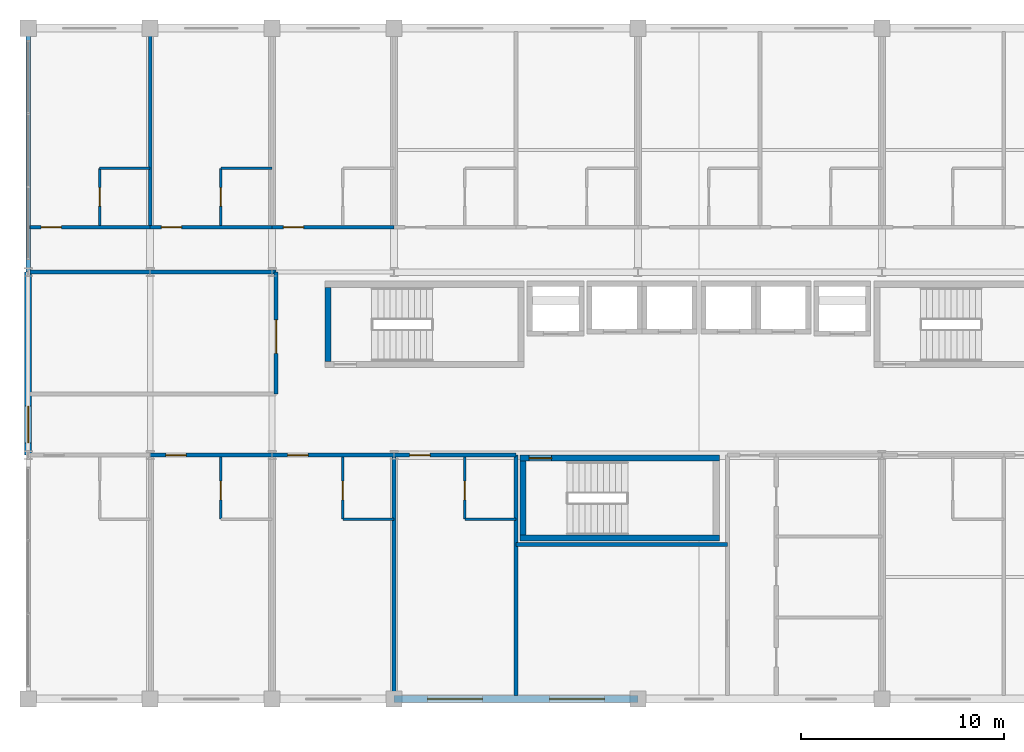
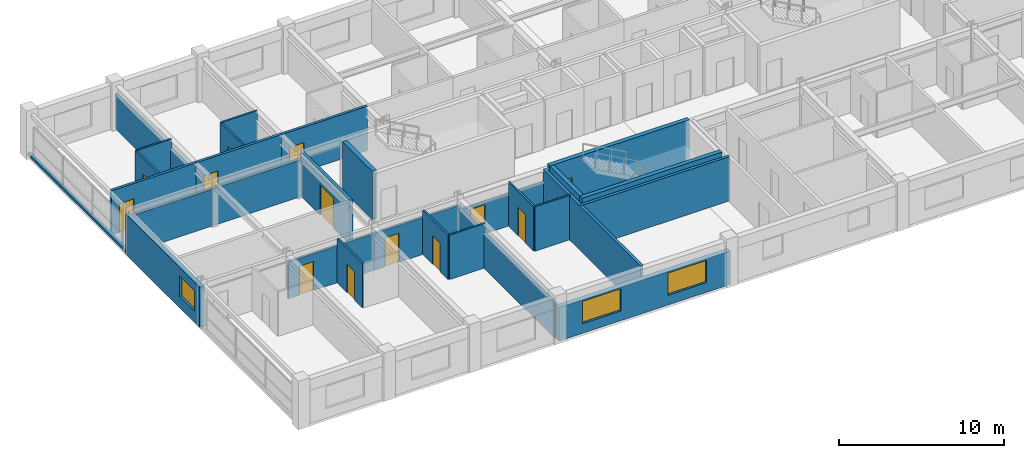
# One storey, part 21 of 26: 28 walls, 13 doors, 3 windows, 16 openings.
"""IFC4 building model written with IfcOpenShell, lengths in metres."""

from ifc_helpers import new_model, si_unit, direction, frame, frame_2d, origin, place, context, subcontext, project, spatial, rectangle, extrude, material, layer, layer_set, type_object, element, fill, save


model = new_model("IFC4")

# Units and contexts
model_context = context("Model", 3, precision=1e-05, world=origin(), true_north=direction((0.0, 1.0)))
body_context = subcontext(model_context, "Body", "Model", "MODEL_VIEW")
ifc_project = project(units=[si_unit("LENGTHUNIT", "METRE"), si_unit("AREAUNIT", "SQUARE_METRE"), si_unit("VOLUMEUNIT", "CUBIC_METRE"), si_unit("PLANEANGLEUNIT", "RADIAN"), si_unit("MASSUNIT", "GRAM", prefix="KILO")], contexts=[model_context])

# Site, building, storey
site_placement = place(None, origin())
site = spatial("IfcSite", under=ifc_project, at=site_placement, CompositionType="ELEMENT")
building_placement = place(site_placement, origin())
building = spatial("IfcBuilding", under=site, at=building_placement, Name="Kaldorvane Square Convention Centre", CompositionType="ELEMENT")
storey_placement = place(building_placement, frame((0.0, 0.0, 42.0)))
storey = spatial("IfcBuildingStorey", under=building, at=storey_placement, Name="L09", CompositionType="ELEMENT", Elevation=42.0)

# Wall, opening, door
ifc_material_1 = material(Name="Fire-Rated Gypsum Board on Acoustic Steel Studs", Category="steel")
ifc_layer_1 = layer(ifc_material_1, 0.125)
ifc_layer_set_1 = layer_set([ifc_layer_1], Name="Fire-Rated Gypsum Board on Acoustic Steel Studs")
wall_type_1 = type_object("IfcWallType", Name="WL-BATH-125", PredefinedType="PARTITIONING", material=ifc_layer_set_1)
wall_1_placement = place(storey_placement, frame((27.520004272460938, 107.28999328613281, 0.0), z_axis=(0.0, 0.0, 1.0), x_axis=(0.0, 1.0, 0.0)))
wall_1 = element("IfcWall", 1, at=wall_1_placement, inside=storey, type_object=wall_type_1, Name="En-Suite 901 West Wall", PredefinedType="PARTITIONING", context=body_context, shape_type="SweptSolid", body=[
    extrude(rectangle(XDim=2.8100128173828125, YDim=0.125, at=frame_2d((1.404998779296875, 0.0))), origin(), (0.0, 0.0, 1.0), 3.2899932861328125),
])
opening_1_placement = place(wall_1_placement, frame((0.9499969482421875, 0.0, 0.0)))
opening_1 = element("IfcOpeningElement", 2, at=opening_1_placement, cuts=wall_1, Name="Opening ID-12", PredefinedType="OPENING", context=body_context, shape_type="SweptSolid", body=[
    extrude(rectangle(XDim=0.9199981689453125, YDim=2.100006103515625, at=frame_2d((0.459991455078125, 1.0500030517578125))), frame((0.0, 0.0774993896484375, 0.0), z_axis=(0.0, -1.0, 0.0), x_axis=(1.0, 0.0, 0.0)), (0.0, 0.0, 1.0), 0.154998779296875),
])
ifc_material_2 = material(Name="Architectural Solid-Core White Oak")
door_type_1 = type_object("IfcDoorType", Name="DR-BATH-0920X2100", OperationType="SINGLE_SWING_RIGHT", PredefinedType="DOOR", material=ifc_material_2)
door_1_placement = place(opening_1_placement, origin())
door_1 = element("IfcDoor", 3, at=door_1_placement, inside=storey, type_object=door_type_1, Name="En-Suite Bathroom 901 Door", OperationType="SINGLE_SWING_RIGHT", OverallHeight=2.100006103515625, OverallWidth=0.9199981689453125, PredefinedType="DOOR", context=body_context, shape_type="SweptSolid", body=[
    extrude(rectangle(XDim=0.9199981689453125, YDim=2.100006103515625, at=frame_2d((0.459991455078125, 1.0500030517578125))), frame((0.0, 0.024993896484375, 0.0), z_axis=(0.0, -1.0, 0.0), x_axis=(1.0, 0.0, 0.0)), (0.0, 0.0, 1.0), 0.0500030517578125),
])
fill(opening_1, door_1)

# Wall
wall_2_placement = place(storey_placement, frame((27.520004272460938, 110.10000610351562, 0.0), z_axis=(0.0, 0.0, 1.0), x_axis=(1.0, 0.0, 0.0)))
element("IfcWall", 4, at=wall_2_placement, inside=storey, type_object=wall_type_1, Name="En-Suite 901 North Wall", PredefinedType="PARTITIONING", context=body_context, shape_type="SweptSolid", body=[
    extrude(rectangle(XDim=2.4799957275390625, YDim=0.125, at=frame_2d((1.239990234375, 0.0))), origin(), (0.0, 0.0, 1.0), 3.2899932861328125),
])

# Wall, opening, door
wall_3_placement = place(storey_placement, frame((33.47999572753906, 107.28999328613281, 0.0), z_axis=(0.0, 0.0, 1.0), x_axis=(0.0, 1.0, 0.0)))
wall_3 = element("IfcWall", 5, at=wall_3_placement, inside=storey, type_object=wall_type_1, Name="En-Suite 902 West Wall", PredefinedType="PARTITIONING", context=body_context, shape_type="SweptSolid", body=[
    extrude(rectangle(XDim=2.8100128173828125, YDim=0.125, at=frame_2d((1.404998779296875, 0.0))), origin(), (0.0, 0.0, 1.0), 3.2899932861328125),
])
opening_2_placement = place(wall_3_placement, frame((0.9499969482421875, 0.0, 0.0)))
opening_2 = element("IfcOpeningElement", 6, at=opening_2_placement, cuts=wall_3, Name="Opening ID-12", PredefinedType="OPENING", context=body_context, shape_type="SweptSolid", body=[
    extrude(rectangle(XDim=0.9199981689453125, YDim=2.100006103515625, at=frame_2d((0.459991455078125, 1.0500030517578125))), frame((0.0, 0.0774993896484375, 0.0), z_axis=(0.0, -1.0, 0.0), x_axis=(1.0, 0.0, 0.0)), (0.0, 0.0, 1.0), 0.154998779296875),
])
door_2_placement = place(opening_2_placement, origin())
door_2 = element("IfcDoor", 7, at=door_2_placement, inside=storey, type_object=door_type_1, Name="En-Suite Bathroom 902 Door", OperationType="SINGLE_SWING_RIGHT", OverallHeight=2.100006103515625, OverallWidth=0.9199981689453125, PredefinedType="DOOR", context=body_context, shape_type="SweptSolid", body=[
    extrude(rectangle(XDim=0.9199981689453125, YDim=2.100006103515625, at=frame_2d((0.459991455078125, 1.0500030517578125))), frame((0.0, 0.024993896484375, 0.0), z_axis=(0.0, -1.0, 0.0), x_axis=(1.0, 0.0, 0.0)), (0.0, 0.0, 1.0), 0.0500030517578125),
])
fill(opening_2, door_2)

# Wall
wall_4_placement = place(storey_placement, frame((33.47999572753906, 110.10000610351562, 0.0), z_axis=(0.0, 0.0, 1.0), x_axis=(1.0, 0.0, 0.0)))
element("IfcWall", 8, at=wall_4_placement, inside=storey, type_object=wall_type_1, Name="En-Suite 902 North Wall", PredefinedType="PARTITIONING", context=body_context, shape_type="SweptSolid", body=[
    extrude(rectangle(XDim=2.5200042724609375, YDim=0.125, at=frame_2d((1.260009765625, 0.0))), origin(), (0.0, 0.0, 1.0), 3.2899932861328125),
])

# Wall, opening, door
wall_5_placement = place(storey_placement, frame((33.47999572753906, 92.85000610351562, 0.0), z_axis=(0.0, 0.0, 1.0), x_axis=(0.0, 1.0, 0.0)))
wall_5 = element("IfcWall", 9, at=wall_5_placement, inside=storey, type_object=wall_type_1, Name="En-Suite 912 West Wall", PredefinedType="PARTITIONING", context=body_context, shape_type="SweptSolid", body=[
    extrude(rectangle(XDim=3.05999755859375, YDim=0.125, at=frame_2d((1.529998779296875, 0.0))), origin(), (0.0, 0.0, 1.0), 3.2899932861328125),
])
opening_3_placement = place(wall_5_placement, frame((0.9499969482421875, 0.0, 0.0)))
opening_3 = element("IfcOpeningElement", 10, at=opening_3_placement, cuts=wall_5, Name="Opening ID-12", PredefinedType="OPENING", context=body_context, shape_type="SweptSolid", body=[
    extrude(rectangle(XDim=0.9199981689453125, YDim=2.100006103515625, at=frame_2d((0.459991455078125, 1.0500030517578125))), frame((0.0, 0.0774993896484375, 0.0), z_axis=(0.0, -1.0, 0.0), x_axis=(1.0, 0.0, 0.0)), (0.0, 0.0, 1.0), 0.154998779296875),
])
door_3_placement = place(opening_3_placement, origin())
door_3 = element("IfcDoor", 11, at=door_3_placement, inside=storey, type_object=door_type_1, Name="En-Suite Bathroom 912 Door", OperationType="SINGLE_SWING_RIGHT", OverallHeight=2.100006103515625, OverallWidth=0.9199981689453125, PredefinedType="DOOR", context=body_context, shape_type="SweptSolid", body=[
    extrude(rectangle(XDim=0.9199981689453125, YDim=2.100006103515625, at=frame_2d((0.459991455078125, 1.0500030517578125))), frame((0.0, 0.024993896484375, 0.0), z_axis=(0.0, -1.0, 0.0), x_axis=(1.0, 0.0, 0.0)), (0.0, 0.0, 1.0), 0.0500030517578125),
])
fill(opening_3, door_3)

wall_6_placement = place(storey_placement, frame((39.47999572753906, 92.85000610351562, 0.0), z_axis=(0.0, 0.0, 1.0), x_axis=(0.0, 1.0, 0.0)))
wall_6 = element("IfcWall", 12, at=wall_6_placement, inside=storey, type_object=wall_type_1, Name="En-Suite 913 West Wall", PredefinedType="PARTITIONING", context=body_context, shape_type="SweptSolid", body=[
    extrude(rectangle(XDim=3.05999755859375, YDim=0.125, at=frame_2d((1.529998779296875, 0.0))), origin(), (0.0, 0.0, 1.0), 3.2899932861328125),
])
opening_4_placement = place(wall_6_placement, frame((0.9499969482421875, 0.0, 0.0)))
opening_4 = element("IfcOpeningElement", 13, at=opening_4_placement, cuts=wall_6, Name="Opening ID-12", PredefinedType="OPENING", context=body_context, shape_type="SweptSolid", body=[
    extrude(rectangle(XDim=0.9199981689453125, YDim=2.100006103515625, at=frame_2d((0.459991455078125, 1.0500030517578125))), frame((0.0, 0.0774993896484375, 0.0), z_axis=(0.0, -1.0, 0.0), x_axis=(1.0, 0.0, 0.0)), (0.0, 0.0, 1.0), 0.154998779296875),
])
door_4_placement = place(opening_4_placement, origin())
door_4 = element("IfcDoor", 14, at=door_4_placement, inside=storey, type_object=door_type_1, Name="En-Suite Bathroom 913 Door", OperationType="SINGLE_SWING_RIGHT", OverallHeight=2.100006103515625, OverallWidth=0.9199981689453125, PredefinedType="DOOR", context=body_context, shape_type="SweptSolid", body=[
    extrude(rectangle(XDim=0.9199981689453125, YDim=2.100006103515625, at=frame_2d((0.459991455078125, 1.0500030517578125))), frame((0.0, 0.024993896484375, 0.0), z_axis=(0.0, -1.0, 0.0), x_axis=(1.0, 0.0, 0.0)), (0.0, 0.0, 1.0), 0.0500030517578125),
])
fill(opening_4, door_4)

# Wall
wall_7_placement = place(storey_placement, frame((39.47999572753906, 92.85000610351562, 0.0), z_axis=(0.0, 0.0, 1.0), x_axis=(1.0, 0.0, 0.0)))
element("IfcWall", 15, at=wall_7_placement, inside=storey, type_object=wall_type_1, Name="En-Suite 913 South Wall", PredefinedType="PARTITIONING", context=body_context, shape_type="SweptSolid", body=[
    extrude(rectangle(XDim=2.5200042724609375, YDim=0.125, at=frame_2d((1.260009765625, 0.0))), origin(), (0.0, 0.0, 1.0), 3.2899932861328125),
])

# Wall, opening, door
wall_8_placement = place(storey_placement, frame((45.47999572753906, 92.85000610351562, 0.0), z_axis=(0.0, 0.0, 1.0), x_axis=(0.0, 1.0, 0.0)))
wall_8 = element("IfcWall", 16, at=wall_8_placement, inside=storey, type_object=wall_type_1, Name="En-Suite 914 West Wall", PredefinedType="PARTITIONING", context=body_context, shape_type="SweptSolid", body=[
    extrude(rectangle(XDim=3.05999755859375, YDim=0.125, at=frame_2d((1.529998779296875, 0.0))), origin(), (0.0, 0.0, 1.0), 3.2899932861328125),
])
opening_5_placement = place(wall_8_placement, frame((0.9499969482421875, 0.0, 0.0)))
opening_5 = element("IfcOpeningElement", 17, at=opening_5_placement, cuts=wall_8, Name="Opening ID-12", PredefinedType="OPENING", context=body_context, shape_type="SweptSolid", body=[
    extrude(rectangle(XDim=0.9199981689453125, YDim=2.100006103515625, at=frame_2d((0.459991455078125, 1.0500030517578125))), frame((0.0, 0.0774993896484375, 0.0), z_axis=(0.0, -1.0, 0.0), x_axis=(1.0, 0.0, 0.0)), (0.0, 0.0, 1.0), 0.154998779296875),
])
door_5_placement = place(opening_5_placement, origin())
door_5 = element("IfcDoor", 18, at=door_5_placement, inside=storey, type_object=door_type_1, Name="En-Suite Bathroom 914 Door", OperationType="SINGLE_SWING_RIGHT", OverallHeight=2.100006103515625, OverallWidth=0.9199981689453125, PredefinedType="DOOR", context=body_context, shape_type="SweptSolid", body=[
    extrude(rectangle(XDim=0.9199981689453125, YDim=2.100006103515625, at=frame_2d((0.459991455078125, 1.0500030517578125))), frame((0.0, 0.024993896484375, 0.0), z_axis=(0.0, -1.0, 0.0), x_axis=(1.0, 0.0, 0.0)), (0.0, 0.0, 1.0), 0.0500030517578125),
])
fill(opening_5, door_5)

# Walls
wall_9_placement = place(storey_placement, frame((45.47999572753906, 92.85000610351562, 0.0), z_axis=(0.0, 0.0, 1.0), x_axis=(1.0, 0.0, 0.0)))
element("IfcWall", 19, at=wall_9_placement, inside=storey, type_object=wall_type_1, Name="En-Suite 914 South Wall", PredefinedType="PARTITIONING", context=body_context, shape_type="SweptSolid", body=[
    extrude(rectangle(XDim=2.5200042724609375, YDim=0.125, at=frame_2d((1.260009765625, 0.0))), origin(), (0.0, 0.0, 1.0), 3.2899932861328125),
])
ifc_layer_2 = layer(ifc_material_1, 0.1999969482421875)
ifc_layer_set_2 = layer_set([ifc_layer_2], Name="Fire-Rated Gypsum Board on Acoustic Steel Studs")
wall_type_2 = type_object("IfcWallType", Name="WL-CORR-200", PredefinedType="PARTITIONING", material=ifc_layer_set_2)
wall_10_placement = place(storey_placement, frame((48.0, 91.60000610351562, 0.0), z_axis=(0.0, 0.0, 1.0), x_axis=(1.0, 0.0, 0.0)))
element("IfcWall", 20, at=wall_10_placement, inside=storey, type_object=wall_type_2, Name="Housekeeping North Wall (L09)", PredefinedType="PARTITIONING", context=body_context, shape_type="SweptSolid", body=[
    extrude(rectangle(XDim=10.399993896484375, YDim=0.1999969482421875, at=frame_2d((5.1999969482421875, 0.0))), origin(), (0.0, 0.0, 1.0), 3.2899932861328125),
])
wall_11_placement = place(storey_placement, frame((48.0, 84.17500305175781, 0.0), z_axis=(0.0, 0.0, 1.0), x_axis=(0.0, 1.0, 0.0)))
element("IfcWall", 21, at=wall_11_placement, inside=storey, type_object=wall_type_2, Name="Service Block West Wall (L09)", PredefinedType="PARTITIONING", context=body_context, shape_type="SweptSolid", body=[
    extrude(rectangle(XDim=11.824996948242188, YDim=0.1999969482421875, at=frame_2d((5.912506103515625, 0.0))), origin(), (0.0, 0.0, 1.0), 3.2899932861328125),
])

# Wall, opening, door
wall_12_placement = place(storey_placement, frame((36.19999694824219, 99.0, 0.0), z_axis=(0.0, 0.0, 1.0), x_axis=(0.0, 1.0, 0.0)))
wall_12 = element("IfcWall", 22, at=wall_12_placement, inside=storey, type_object=wall_type_2, Name="West Sunset Sitting Alcove (L09) E Wall", PredefinedType="PARTITIONING", context=body_context, shape_type="SweptSolid", body=[
    extrude(rectangle(XDim=6.0, YDim=0.1999969482421875, at=frame_2d((3.0, 0.0))), origin(), (0.0, 0.0, 1.0), 3.2899932861328125),
])
opening_6_placement = place(wall_12_placement, frame((2.0, 0.0, 0.0)))
opening_6 = element("IfcOpeningElement", 23, at=opening_6_placement, cuts=wall_12, Name="Opening ID-16", PredefinedType="OPENING", context=body_context, shape_type="SweptSolid", body=[
    extrude(rectangle(XDim=1.649993896484375, YDim=2.25, at=frame_2d((0.8249969482421875, 1.125))), frame((0.0, 0.114990234375, 0.0), z_axis=(0.0, -1.0, 0.0), x_axis=(1.0, 0.0, 0.0)), (0.0, 0.0, 1.0), 0.2299957275390625),
])
ifc_material_3 = material(Name="Acoustic Laminated Glass in Aluminum Frame", Category="aluminium")
door_type_2 = type_object("IfcDoorType", Name="DR-GL-1650X2250", OperationType="DOUBLE_DOOR_SINGLE_SWING", PredefinedType="DOOR", material=ifc_material_3)
door_6_placement = place(opening_6_placement, origin())
door_6 = element("IfcDoor", 24, at=door_6_placement, inside=storey, type_object=door_type_2, Name="West Sunset Sitting Alcove (L09) Door 1", OperationType="DOUBLE_DOOR_SINGLE_SWING", OverallHeight=2.25, OverallWidth=1.649993896484375, PredefinedType="DOOR", context=body_context, shape_type="SweptSolid", body=[
    extrude(rectangle(XDim=1.649993896484375, YDim=2.25, at=frame_2d((0.8249969482421875, 1.125))), frame((0.0, 0.024993896484375, 0.0), z_axis=(0.0, -1.0, 0.0), x_axis=(1.0, 0.0, 0.0)), (0.0, 0.0, 1.0), 0.0500030517578125),
])
fill(opening_6, door_6)

# Wall
wall_13_placement = place(storey_placement, frame((36.19999694824219, 105.0, 0.0), z_axis=(0.0, 0.0, 1.0), x_axis=(-1.0, 0.0, 0.0)))
element("IfcWall", 25, at=wall_13_placement, inside=storey, type_object=wall_type_2, Name="West Sunset Sitting Alcove (L09) N Wall", PredefinedType="PARTITIONING", context=body_context, shape_type="SweptSolid", body=[
    extrude(rectangle(XDim=12.114990234375, YDim=0.1999969482421875, at=frame_2d((6.0574951171875, 0.0))), origin(), (0.0, 0.0, 1.0), 2.735992431640625),
])

# Wall, openings, windows
ifc_material_4 = material(Name="Concrete f'c = 42 MPa (Normalweight)", Category="concrete")
ifc_layer_3 = layer(ifc_material_4, 0.350006103515625)
ifc_layer_set_3 = layer_set([ifc_layer_3], Name="Concrete f'c = 42 MPa (Normalweight)")
wall_type_3 = type_object("IfcWallType", Name="WL-EXT-350", PredefinedType="STANDARD", material=ifc_layer_set_3)
wall_14_placement = place(storey_placement, frame((42.0, 84.0, 0.0), z_axis=(0.0, 0.0, 1.0), x_axis=(1.0, 0.0, 0.0)))
wall_14 = element("IfcWall", 26, at=wall_14_placement, inside=storey, type_object=wall_type_3, Name="Hotel S Brutalist Facade Wall (L09)", PredefinedType="STANDARD", context=body_context, shape_type="SweptSolid", body=[
    extrude(rectangle(XDim=12.0, YDim=0.350006103515625, at=frame_2d((6.0, 0.0))), origin(), (0.0, 0.0, 1.0), 2.485992431640625),
])
opening_7_placement = place(wall_14_placement, frame((1.649993896484375, 0.0, 0.720001220703125)))
opening_7 = element("IfcOpeningElement", 27, at=opening_7_placement, cuts=wall_14, Name="Opening W-03", PredefinedType="OPENING", context=body_context, shape_type="SweptSolid", body=[
    extrude(rectangle(XDim=2.6999969482421875, YDim=1.649993896484375, at=frame_2d((1.350006103515625, 0.8249969482421875))), frame((0.0, 0.19000244140625, 0.0), z_axis=(0.0, -1.0, 0.0), x_axis=(1.0, 0.0, 0.0)), (0.0, 0.0, 1.0), 0.3800048828125),
])
opening_8_placement = place(wall_14_placement, frame((7.649993896484375, 0.0, 0.720001220703125)))
opening_8 = element("IfcOpeningElement", 28, at=opening_8_placement, cuts=wall_14, Name="Opening W-03", PredefinedType="OPENING", context=body_context, shape_type="SweptSolid", body=[
    extrude(rectangle(XDim=2.6999969482421875, YDim=1.649993896484375, at=frame_2d((1.350006103515625, 0.8249969482421875))), frame((0.0, 0.19000244140625, 0.0), z_axis=(0.0, -1.0, 0.0), x_axis=(1.0, 0.0, 0.0)), (0.0, 0.0, 1.0), 0.3800048828125),
])
ifc_material_5 = material(Name="Anodized Aluminum and Low-E Insulated Glazing", Category="aluminium")
window_type_1 = type_object("IfcWindowType", Name="WN-HTL-2700X1650", PartitioningType="TRIPLE_PANEL_VERTICAL", PredefinedType="WINDOW", material=ifc_material_5)
window_1_placement = place(opening_7_placement, origin())
window_1 = element("IfcWindow", 29, at=window_1_placement, inside=storey, type_object=window_type_1, Name="Hotel S Window (L09)", OverallHeight=1.649993896484375, OverallWidth=2.6999969482421875, PartitioningType="TRIPLE_PANEL_VERTICAL", PredefinedType="WINDOW", context=body_context, shape_type="SweptSolid", body=[
    extrude(rectangle(XDim=2.6999969482421875, YDim=1.649993896484375, at=frame_2d((1.350006103515625, 0.8249969482421875))), frame((0.0, 0.029998779296875, 0.0), z_axis=(0.0, -1.0, 0.0), x_axis=(1.0, 0.0, 0.0)), (0.0, 0.0, 1.0), 0.05999755859375),
])
fill(opening_7, window_1)
window_2_placement = place(opening_8_placement, origin())
window_2 = element("IfcWindow", 30, at=window_2_placement, inside=storey, type_object=window_type_1, Name="Hotel S Window (L09)", OverallHeight=1.649993896484375, OverallWidth=2.6999969482421875, PartitioningType="TRIPLE_PANEL_VERTICAL", PredefinedType="WINDOW", context=body_context, shape_type="SweptSolid", body=[
    extrude(rectangle(XDim=2.6999969482421875, YDim=1.649993896484375, at=frame_2d((1.350006103515625, 0.8249969482421875))), frame((0.0, 0.029998779296875, 0.0), z_axis=(0.0, -1.0, 0.0), x_axis=(1.0, 0.0, 0.0)), (0.0, 0.0, 1.0), 0.05999755859375),
])
fill(opening_8, window_2)

# Wall, opening, window
wall_15_placement = place(storey_placement, frame((24.0, 105.0, 0.0), z_axis=(0.0, 0.0, 1.0), x_axis=(0.0, -1.0, 0.0)))
wall_15 = element("IfcWall", 31, at=wall_15_placement, inside=storey, type_object=wall_type_3, Name="Hotel W End Wall (L09)", PredefinedType="STANDARD", context=body_context, shape_type="SweptSolid", body=[
    extrude(rectangle(XDim=9.0, YDim=0.350006103515625, at=frame_2d((4.5, 0.0))), origin(), (0.0, 0.0, 1.0), 2.9810028076171875),
])
opening_9_placement = place(wall_15_placement, frame((6.600006103515625, 0.0, 0.850006103515625)))
opening_9 = element("IfcOpeningElement", 32, at=opening_9_placement, cuts=wall_15, Name="Opening W-11", PredefinedType="OPENING", context=body_context, shape_type="SweptSolid", body=[
    extrude(rectangle(XDim=1.8000030517578125, YDim=1.5, at=frame_2d((0.899993896484375, 0.75))), frame((0.0, 0.19000244140625, 0.0), z_axis=(0.0, -1.0, 0.0), x_axis=(1.0, 0.0, 0.0)), (0.0, 0.0, 1.0), 0.3800048828125),
])
window_type_2 = type_object("IfcWindowType", Name="WN-HTL-1800X1500", PartitioningType="SINGLE_PANEL", PredefinedType="WINDOW", material=ifc_material_5)
window_3_placement = place(opening_9_placement, origin())
window_3 = element("IfcWindow", 33, at=window_3_placement, inside=storey, type_object=window_type_2, Name="Hotel End Window W (L09)", OverallHeight=1.5, OverallWidth=1.8000030517578125, PartitioningType="SINGLE_PANEL", PredefinedType="WINDOW", context=body_context, shape_type="SweptSolid", body=[
    extrude(rectangle(XDim=1.8000030517578125, YDim=1.5, at=frame_2d((0.899993896484375, 0.75))), frame((0.0, 0.029998779296875, 0.0), z_axis=(0.0, -1.0, 0.0), x_axis=(1.0, 0.0, 0.0)), (0.0, 0.0, 1.0), 0.05999755859375),
])
fill(opening_9, window_3)

# Walls
ifc_material_6 = material(Name="Concrete f'c = 35 MPa (Normalweight)", Category="concrete")
ifc_layer_4 = layer(ifc_material_6, 0.220001220703125)
ifc_layer_set_4 = layer_set([ifc_layer_4], Name="Concrete f'c = 35 MPa (Normalweight)")
wall_type_4 = type_object("IfcWallType", Name="WL-PAR-220", PredefinedType="PARAPET", material=ifc_layer_set_4)
wall_16_placement = place(storey_placement, frame((24.0, 117.0, 0.0), z_axis=(0.0, 0.0, 1.0), x_axis=(0.0, -1.0, 0.0)))
element("IfcWall", 34, at=wall_16_placement, inside=storey, type_object=wall_type_4, Name="Hotel End Curtain-Wall Sill (L09)", PredefinedType="PARAPET", context=body_context, shape_type="SweptSolid", body=[
    extrude(rectangle(XDim=12.0, YDim=0.220001220703125, at=frame_2d((6.0, 0.0))), origin(), (0.0, 0.0, 1.0), 0.1999969482421875),
])
ifc_material_7 = material(Name="Concrete f'c = 55 MPa (Normalweight)", Category="concrete")
ifc_layer_5 = layer(ifc_material_7, 0.3000030517578125)
ifc_layer_set_5 = layer_set([ifc_layer_5], Name="Concrete f'c = 55 MPa (Normalweight)")
wall_type_5 = type_object("IfcWallType", Name="WL-SHAFT-300", PredefinedType="SHEAR", material=ifc_layer_set_5)
wall_17_placement = place(storey_placement, frame((38.75, 104.25, 0.0), z_axis=(0.0, 0.0, 1.0), x_axis=(0.0, -1.0, 0.0)))
element("IfcWall", 35, at=wall_17_placement, inside=storey, type_object=wall_type_5, Name="Core Enclosure Wall stair:ST-T1-W (L09)", PredefinedType="SHEAR", context=body_context, shape_type="SweptSolid", body=[
    extrude(rectangle(XDim=3.6399993896484375, YDim=0.3000030517578125, at=frame_2d((1.82000732421875, 0.0))), origin(), (0.0, 0.0, 1.0), 3.600006103515625),
])
wall_18_placement = place(storey_placement, frame((48.19999694824219, 91.91000366210938, 0.0), z_axis=(0.0, 0.0, 1.0), x_axis=(1.0, 0.0, 0.0)))
element("IfcWall", 36, at=wall_18_placement, inside=storey, type_object=wall_type_5, Name="Core Enclosure Wall stair:ST-T3-S (L09)", PredefinedType="SHEAR", context=body_context, shape_type="SweptSolid", body=[
    extrude(rectangle(XDim=9.800003051757812, YDim=0.3000030517578125, at=frame_2d((4.899993896484375, 0.0))), origin(), (0.0, 0.0, 1.0), 3.600006103515625),
])

# Wall, opening, door
wall_19_placement = place(storey_placement, frame((58.0, 95.85000610351562, 0.0), z_axis=(0.0, 0.0, 1.0), x_axis=(-1.0, 0.0, 0.0)))
wall_19 = element("IfcWall", 37, at=wall_19_placement, inside=storey, type_object=wall_type_5, Name="Core Enclosure Wall stair:ST-T3-N (L09)", PredefinedType="SHEAR", context=body_context, shape_type="SweptSolid", body=[
    extrude(rectangle(XDim=9.800003051757812, YDim=0.3000030517578125, at=frame_2d((4.899993896484375, 0.0))), origin(), (0.0, 0.0, 1.0), 3.600006103515625),
])
opening_10_placement = place(wall_19_placement, frame((8.25, 0.0, 0.0)))
opening_10 = element("IfcOpeningElement", 38, at=opening_10_placement, cuts=wall_19, Name="Opening FD90-S1", PredefinedType="OPENING", context=body_context, shape_type="SweptSolid", body=[
    extrude(rectangle(XDim=1.100006103515625, YDim=2.1999969482421875, at=frame_2d((0.5500030517578125, 1.100006103515625))), frame((0.0, 0.165008544921875, 0.0), z_axis=(0.0, -1.0, 0.0), x_axis=(1.0, 0.0, 0.0)), (0.0, 0.0, 1.0), 0.3300018310546875),
])
ifc_material_8 = material(Name="Fire-Rated Hollow Metal Steel", Category="steel")
door_type_3 = type_object("IfcDoorType", Name="DR-STAIR-1100", OperationType="SINGLE_SWING_RIGHT", PredefinedType="DOOR", material=ifc_material_8)
door_7_placement = place(opening_10_placement, origin())
door_7 = element("IfcDoor", 39, at=door_7_placement, inside=storey, type_object=door_type_3, Name="Tower Exit Stair T3 Fire Door (L09)", OperationType="SINGLE_SWING_RIGHT", OverallHeight=2.1999969482421875, OverallWidth=1.100006103515625, PredefinedType="DOOR", context=body_context, shape_type="SweptSolid", body=[
    extrude(rectangle(XDim=1.100006103515625, YDim=2.1999969482421875, at=frame_2d((0.5500030517578125, 1.100006103515625))), frame((0.0, 0.024993896484375, 0.0), z_axis=(0.0, -1.0, 0.0), x_axis=(1.0, 0.0, 0.0)), (0.0, 0.0, 1.0), 0.0500030517578125),
])
fill(opening_10, door_7)

# Wall
wall_20_placement = place(storey_placement, frame((48.350006103515625, 95.69999694824219, 0.0), z_axis=(0.0, 0.0, 1.0), x_axis=(0.0, -1.0, 0.0)))
element("IfcWall", 40, at=wall_20_placement, inside=storey, type_object=wall_type_5, Name="Core Enclosure Wall stair:ST-T3-W (L09)", PredefinedType="SHEAR", context=body_context, shape_type="SweptSolid", body=[
    extrude(rectangle(XDim=3.6399993896484375, YDim=0.3000030517578125, at=frame_2d((1.82000732421875, 0.0))), origin(), (0.0, 0.0, 1.0), 3.600006103515625),
])

# Wall, opening, door
ifc_layer_6 = layer(ifc_material_1, 0.17999267578125)
ifc_layer_set_6 = layer_set([ifc_layer_6], Name="Fire-Rated Gypsum Board on Acoustic Steel Studs")
wall_type_6 = type_object("IfcWallType", Name="WL-UNIT-180", PredefinedType="PARTITIONING", material=ifc_layer_set_6)
wall_21_placement = place(storey_placement, frame((24.085006713867188, 107.19999694824219, 0.0), z_axis=(0.0, 0.0, 1.0), x_axis=(1.0, 0.0, 0.0)))
wall_21 = element("IfcWall", 41, at=wall_21_placement, inside=storey, type_object=wall_type_6, Name="Hotel Guest Room 901 Corridor Wall", PredefinedType="PARTITIONING", context=body_context, shape_type="SweptSolid", body=[
    extrude(rectangle(XDim=5.9149932861328125, YDim=0.17999267578125, at=frame_2d((2.957489013671875, 0.0))), origin(), (0.0, 0.0, 1.0), 3.2899932861328125),
])
opening_11_placement = place(wall_21_placement, frame((0.5500030517578125, 0.0, 0.0)))
opening_11 = element("IfcOpeningElement", 42, at=opening_11_placement, cuts=wall_21, Name="Opening ID-10", PredefinedType="OPENING", context=body_context, shape_type="SweptSolid", body=[
    extrude(rectangle(XDim=1.0, YDim=2.149993896484375, at=frame_2d((0.5, 1.0749969482421875))), frame((0.0, 0.1049957275390625, 0.0), z_axis=(0.0, -1.0, 0.0), x_axis=(1.0, 0.0, 0.0)), (0.0, 0.0, 1.0), 0.209991455078125),
])
door_type_4 = type_object("IfcDoorType", Name="DR-GUEST-1000X2150", OperationType="SINGLE_SWING_LEFT", PredefinedType="DOOR", material=ifc_material_2)
door_8_placement = place(opening_11_placement, origin())
door_8 = element("IfcDoor", 43, at=door_8_placement, inside=storey, type_object=door_type_4, Name="Hotel Guest Room 901 Entry Door", OperationType="SINGLE_SWING_LEFT", OverallHeight=2.149993896484375, OverallWidth=1.0, PredefinedType="DOOR", context=body_context, shape_type="SweptSolid", body=[
    extrude(rectangle(XDim=1.0, YDim=2.149993896484375, at=frame_2d((0.5, 1.0749969482421875))), frame((0.0, 0.024993896484375, 0.0), z_axis=(0.0, -1.0, 0.0), x_axis=(1.0, 0.0, 0.0)), (0.0, 0.0, 1.0), 0.0500030517578125),
])
fill(opening_11, door_8)

# Wall
wall_22_placement = place(storey_placement, frame((30.0, 107.19999694824219, 0.0), z_axis=(0.0, 0.0, 1.0), x_axis=(0.0, 1.0, 0.0)))
element("IfcWall", 44, at=wall_22_placement, inside=storey, type_object=wall_type_6, Name="Guestroom Demising Wall 901", PredefinedType="PARTITIONING", context=body_context, shape_type="SweptSolid", body=[
    extrude(rectangle(XDim=9.625, YDim=0.17999267578125, at=frame_2d((4.8125, 0.0))), origin(), (0.0, 0.0, 1.0), 2.589996337890625),
])

# Wall, opening, door
wall_23_placement = place(storey_placement, frame((30.0, 107.19999694824219, 0.0), z_axis=(0.0, 0.0, 1.0), x_axis=(1.0, 0.0, 0.0)))
wall_23 = element("IfcWall", 45, at=wall_23_placement, inside=storey, type_object=wall_type_6, Name="Hotel Guest Room 902 Corridor Wall", PredefinedType="PARTITIONING", context=body_context, shape_type="SweptSolid", body=[
    extrude(rectangle(XDim=6.0, YDim=0.17999267578125, at=frame_2d((3.0, 0.0))), origin(), (0.0, 0.0, 1.0), 3.2899932861328125),
])
opening_12_placement = place(wall_23_placement, frame((0.5500030517578125, 0.0, 0.0)))
opening_12 = element("IfcOpeningElement", 46, at=opening_12_placement, cuts=wall_23, Name="Opening ID-10", PredefinedType="OPENING", context=body_context, shape_type="SweptSolid", body=[
    extrude(rectangle(XDim=1.0, YDim=2.149993896484375, at=frame_2d((0.5, 1.0749969482421875))), frame((0.0, 0.1049957275390625, 0.0), z_axis=(0.0, -1.0, 0.0), x_axis=(1.0, 0.0, 0.0)), (0.0, 0.0, 1.0), 0.209991455078125),
])
door_9_placement = place(opening_12_placement, origin())
door_9 = element("IfcDoor", 47, at=door_9_placement, inside=storey, type_object=door_type_4, Name="Hotel Guest Room 902 Entry Door", OperationType="SINGLE_SWING_LEFT", OverallHeight=2.149993896484375, OverallWidth=1.0, PredefinedType="DOOR", context=body_context, shape_type="SweptSolid", body=[
    extrude(rectangle(XDim=1.0, YDim=2.149993896484375, at=frame_2d((0.5, 1.0749969482421875))), frame((0.0, 0.024993896484375, 0.0), z_axis=(0.0, -1.0, 0.0), x_axis=(1.0, 0.0, 0.0)), (0.0, 0.0, 1.0), 0.0500030517578125),
])
fill(opening_12, door_9)

wall_24_placement = place(storey_placement, frame((36.0, 107.19999694824219, 0.0), z_axis=(0.0, 0.0, 1.0), x_axis=(1.0, 0.0, 0.0)))
wall_24 = element("IfcWall", 48, at=wall_24_placement, inside=storey, type_object=wall_type_6, Name="Hotel Guest Room 903 Corridor Wall", PredefinedType="PARTITIONING", context=body_context, shape_type="SweptSolid", body=[
    extrude(rectangle(XDim=6.0, YDim=0.17999267578125, at=frame_2d((3.0, 0.0))), origin(), (0.0, 0.0, 1.0), 3.2899932861328125),
])
opening_13_placement = place(wall_24_placement, frame((0.5500030517578125, 0.0, 0.0)))
opening_13 = element("IfcOpeningElement", 49, at=opening_13_placement, cuts=wall_24, Name="Opening ID-10", PredefinedType="OPENING", context=body_context, shape_type="SweptSolid", body=[
    extrude(rectangle(XDim=1.0, YDim=2.149993896484375, at=frame_2d((0.5, 1.0749969482421875))), frame((0.0, 0.1049957275390625, 0.0), z_axis=(0.0, -1.0, 0.0), x_axis=(1.0, 0.0, 0.0)), (0.0, 0.0, 1.0), 0.209991455078125),
])
door_10_placement = place(opening_13_placement, origin())
door_10 = element("IfcDoor", 50, at=door_10_placement, inside=storey, type_object=door_type_4, Name="Hotel Guest Room 903 Entry Door", OperationType="SINGLE_SWING_LEFT", OverallHeight=2.149993896484375, OverallWidth=1.0, PredefinedType="DOOR", context=body_context, shape_type="SweptSolid", body=[
    extrude(rectangle(XDim=1.0, YDim=2.149993896484375, at=frame_2d((0.5, 1.0749969482421875))), frame((0.0, 0.024993896484375, 0.0), z_axis=(0.0, -1.0, 0.0), x_axis=(1.0, 0.0, 0.0)), (0.0, 0.0, 1.0), 0.0500030517578125),
])
fill(opening_13, door_10)

wall_25_placement = place(storey_placement, frame((30.0, 96.0, 0.0), z_axis=(0.0, 0.0, 1.0), x_axis=(1.0, 0.0, 0.0)))
wall_25 = element("IfcWall", 51, at=wall_25_placement, inside=storey, type_object=wall_type_6, Name="Hotel Guest Room 912 Corridor Wall", PredefinedType="PARTITIONING", context=body_context, shape_type="SweptSolid", body=[
    extrude(rectangle(XDim=6.0, YDim=0.17999267578125, at=frame_2d((3.0, 0.0))), origin(), (0.0, 0.0, 1.0), 2.735992431640625),
])
opening_14_placement = place(wall_25_placement, frame((0.7700042724609375, 0.0, 0.0)))
opening_14 = element("IfcOpeningElement", 52, at=opening_14_placement, cuts=wall_25, Name="Opening ID-10", PredefinedType="OPENING", context=body_context, shape_type="SweptSolid", body=[
    extrude(rectangle(XDim=1.0, YDim=2.149993896484375, at=frame_2d((0.5, 1.0749969482421875))), frame((0.0, 0.1049957275390625, 0.0), z_axis=(0.0, -1.0, 0.0), x_axis=(1.0, 0.0, 0.0)), (0.0, 0.0, 1.0), 0.209991455078125),
])
door_11_placement = place(opening_14_placement, origin())
door_11 = element("IfcDoor", 53, at=door_11_placement, inside=storey, type_object=door_type_4, Name="Hotel Guest Room 912 Entry Door", OperationType="SINGLE_SWING_LEFT", OverallHeight=2.149993896484375, OverallWidth=1.0, PredefinedType="DOOR", context=body_context, shape_type="SweptSolid", body=[
    extrude(rectangle(XDim=1.0, YDim=2.149993896484375, at=frame_2d((0.5, 1.0749969482421875))), frame((0.0, 0.024993896484375, 0.0), z_axis=(0.0, -1.0, 0.0), x_axis=(1.0, 0.0, 0.0)), (0.0, 0.0, 1.0), 0.0500030517578125),
])
fill(opening_14, door_11)

wall_26_placement = place(storey_placement, frame((36.0, 96.0, 0.0), z_axis=(0.0, 0.0, 1.0), x_axis=(1.0, 0.0, 0.0)))
wall_26 = element("IfcWall", 54, at=wall_26_placement, inside=storey, type_object=wall_type_6, Name="Hotel Guest Room 913 Corridor Wall", PredefinedType="PARTITIONING", context=body_context, shape_type="SweptSolid", body=[
    extrude(rectangle(XDim=6.0, YDim=0.17999267578125, at=frame_2d((3.0, 0.0))), origin(), (0.0, 0.0, 1.0), 2.735992431640625),
])
opening_15_placement = place(wall_26_placement, frame((0.7700042724609375, 0.0, 0.0)))
opening_15 = element("IfcOpeningElement", 55, at=opening_15_placement, cuts=wall_26, Name="Opening ID-10", PredefinedType="OPENING", context=body_context, shape_type="SweptSolid", body=[
    extrude(rectangle(XDim=1.0, YDim=2.149993896484375, at=frame_2d((0.5, 1.0749969482421875))), frame((0.0, 0.1049957275390625, 0.0), z_axis=(0.0, -1.0, 0.0), x_axis=(1.0, 0.0, 0.0)), (0.0, 0.0, 1.0), 0.209991455078125),
])
door_12_placement = place(opening_15_placement, origin())
door_12 = element("IfcDoor", 56, at=door_12_placement, inside=storey, type_object=door_type_4, Name="Hotel Guest Room 913 Entry Door", OperationType="SINGLE_SWING_LEFT", OverallHeight=2.149993896484375, OverallWidth=1.0, PredefinedType="DOOR", context=body_context, shape_type="SweptSolid", body=[
    extrude(rectangle(XDim=1.0, YDim=2.149993896484375, at=frame_2d((0.5, 1.0749969482421875))), frame((0.0, 0.024993896484375, 0.0), z_axis=(0.0, -1.0, 0.0), x_axis=(1.0, 0.0, 0.0)), (0.0, 0.0, 1.0), 0.0500030517578125),
])
fill(opening_15, door_12)

# Wall
wall_27_placement = place(storey_placement, frame((42.0, 84.17500305175781, 0.0), z_axis=(0.0, 0.0, 1.0), x_axis=(0.0, 1.0, 0.0)))
element("IfcWall", 57, at=wall_27_placement, inside=storey, type_object=wall_type_6, Name="Guestroom Demising Wall 913", PredefinedType="PARTITIONING", context=body_context, shape_type="SweptSolid", body=[
    extrude(rectangle(XDim=11.824996948242188, YDim=0.17999267578125, at=frame_2d((5.912506103515625, 0.0))), origin(), (0.0, 0.0, 1.0), 2.589996337890625),
])

# Wall, opening, door
wall_28_placement = place(storey_placement, frame((42.0, 96.0, 0.0), z_axis=(0.0, 0.0, 1.0), x_axis=(1.0, 0.0, 0.0)))
wall_28 = element("IfcWall", 58, at=wall_28_placement, inside=storey, type_object=wall_type_6, Name="Hotel Guest Room 914 Corridor Wall", PredefinedType="PARTITIONING", context=body_context, shape_type="SweptSolid", body=[
    extrude(rectangle(XDim=6.0, YDim=0.17999267578125, at=frame_2d((3.0, 0.0))), origin(), (0.0, 0.0, 1.0), 2.3589935302734375),
])
opening_16_placement = place(wall_28_placement, frame((0.7700042724609375, 0.0, 0.0)))
opening_16 = element("IfcOpeningElement", 59, at=opening_16_placement, cuts=wall_28, Name="Opening ID-10", PredefinedType="OPENING", context=body_context, shape_type="SweptSolid", body=[
    extrude(rectangle(XDim=1.0, YDim=2.149993896484375, at=frame_2d((0.5, 1.0749969482421875))), frame((0.0, 0.1049957275390625, 0.0), z_axis=(0.0, -1.0, 0.0), x_axis=(1.0, 0.0, 0.0)), (0.0, 0.0, 1.0), 0.209991455078125),
])
door_13_placement = place(opening_16_placement, origin())
door_13 = element("IfcDoor", 60, at=door_13_placement, inside=storey, type_object=door_type_4, Name="Hotel Guest Room 914 Entry Door", OperationType="SINGLE_SWING_LEFT", OverallHeight=2.149993896484375, OverallWidth=1.0, PredefinedType="DOOR", context=body_context, shape_type="SweptSolid", body=[
    extrude(rectangle(XDim=1.0, YDim=2.149993896484375, at=frame_2d((0.5, 1.0749969482421875))), frame((0.0, 0.024993896484375, 0.0), z_axis=(0.0, -1.0, 0.0), x_axis=(1.0, 0.0, 0.0)), (0.0, 0.0, 1.0), 0.0500030517578125),
])
fill(opening_16, door_13)

save(model, "model.ifc")
